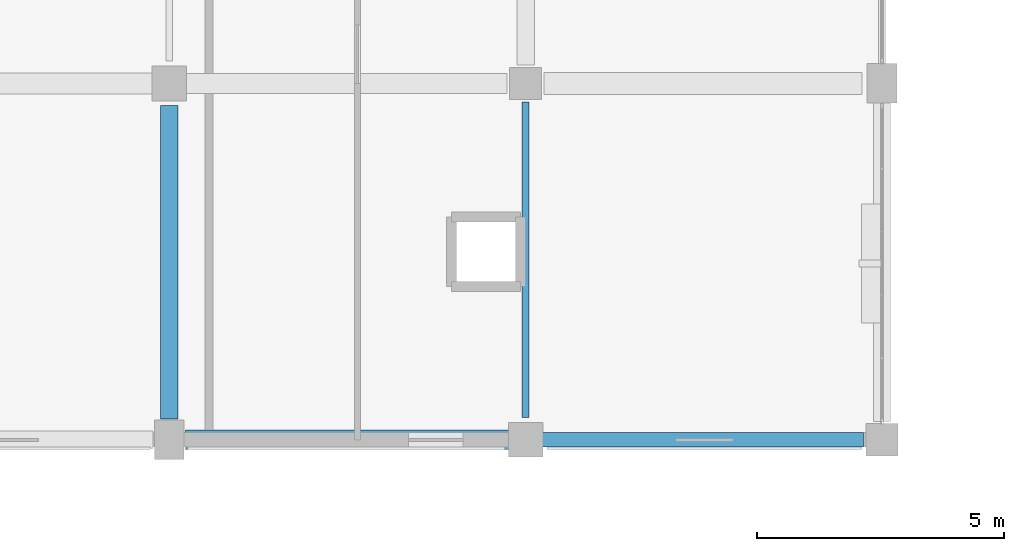
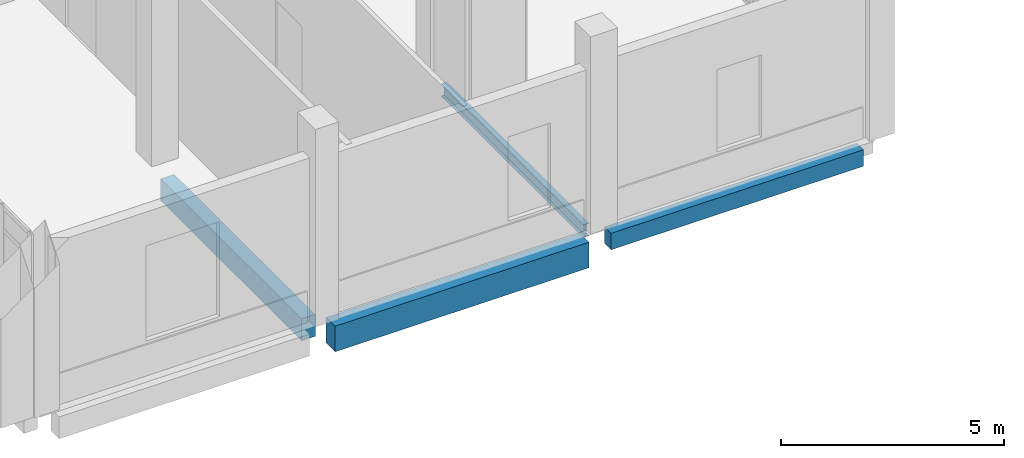
# One storey, part 9 of 110: 4 beams.
"""IFC4 building model written with IfcOpenShell, lengths in metres."""

import ifcopenshell
import ifcopenshell.guid

model = None  # the IFC model being written
_history = None  # IfcOwnerHistory: only IFC2X3 demands one
_inside = {}  # id of a spatial element -> (the spatial element, [elements in it])
_under = {}  # id of a project, library or spatial element -> (it, [spatial elements below it])
_declared = {}  # id of a project -> (the project, [libraries it declares])
_typed = {}  # id of a type object -> (the type object, [elements of that type])
_made_of = {}  # id of a material, layer set ... -> (it, [elements and type objects made of it])


def new_model(schema):
    """Start an empty IFC model of exactly this schema.

    Asked for "IFC4X3", IfcOpenShell would pick the latest addendum, in which some entities
    have other attributes; the version numbers below select the first issue.
    IFC2X3 requires an IfcOwnerHistory on every rooted entity: one is made here for all.
    """
    global model, _history
    if schema == "IFC4X3":
        model = ifcopenshell.file(schema_version=(4, 3, 0, 0))
    else:
        model = ifcopenshell.file(schema=schema)
    _inside.clear()
    _under.clear()
    _declared.clear()
    _typed.clear()
    _made_of.clear()
    _history = None
    if model.schema == "IFC2X3":
        org = make("IfcOrganization", Name="unknown")
        user = make(
            "IfcPersonAndOrganization",
            ThePerson=make("IfcPerson", FamilyName="unknown"),
            TheOrganization=org,
        )
        app = make(
            "IfcApplication",
            ApplicationDeveloper=org,
            Version="unknown",
            ApplicationFullName="unknown",
            ApplicationIdentifier="unknown",
        )
        _history = make(
            "IfcOwnerHistory",
            OwningUser=user,
            OwningApplication=app,
            ChangeAction="ADDED",
            CreationDate=0,
        )
    return model


def make(cls, **values):
    """One entity of the class cls with the attributes given. An attribute that is None is left unset."""
    return model.create_entity(
        cls, **{name: value for name, value in values.items() if value is not None}
    )


def rooted(cls, **values):
    """An entity with a GlobalId (a new one), such as an element, a storey or a relation."""
    return make(cls, GlobalId=ifcopenshell.guid.new(), OwnerHistory=_history, **values)


def si_unit(unit_type, name, prefix=None):
    """IfcSIUnit, for example si_unit("LENGTHUNIT", "METRE", prefix="MILLI")."""
    return make("IfcSIUnit", UnitType=unit_type, Prefix=prefix, Name=name)


def assignment(units):
    """IfcUnitAssignment: the units of a project."""
    return None if units is None else make("IfcUnitAssignment", Units=units)


def point(xyz):
    """IfcCartesianPoint."""
    return None if xyz is None else make("IfcCartesianPoint", Coordinates=xyz)


def direction(xyz):
    """IfcDirection."""
    return None if xyz is None else make("IfcDirection", DirectionRatios=xyz)


def frame(location, z_axis=None, x_axis=None):
    """IfcAxis2Placement3D, a coordinate frame: its origin and axes. An axis left out is left unset."""
    return make(
        "IfcAxis2Placement3D",
        Location=point(location),
        Axis=direction(z_axis),
        RefDirection=direction(x_axis),
    )


def frame_2d(location, x_axis=None):
    """IfcAxis2Placement2D, a coordinate frame in the plane: its origin and x axis."""
    return make(
        "IfcAxis2Placement2D", Location=point(location), RefDirection=direction(x_axis)
    )


def origin():
    """The frame at (0, 0, 0) with its axes left unset."""
    return frame((0.0, 0.0, 0.0))


def origin_2d():
    """The frame at (0, 0) in the plane with its x axis left unset."""
    return frame_2d((0.0, 0.0))


def place(relative_to, where):
    """IfcLocalPlacement: puts the frame where relative to a parent placement (None: the world)."""
    return make(
        "IfcLocalPlacement", PlacementRelTo=relative_to, RelativePlacement=where
    )


def context(
    kind, dimensions, precision=None, world=None, true_north=None, identifier=None
):
    """IfcGeometricRepresentationContext, for example the 3D "Model" context."""
    return make(
        "IfcGeometricRepresentationContext",
        ContextIdentifier=identifier,
        ContextType=kind,
        CoordinateSpaceDimension=dimensions,
        Precision=precision,
        WorldCoordinateSystem=world,
        TrueNorth=true_north,
    )


def subcontext(parent, identifier, kind, view, scale=None):
    """IfcGeometricRepresentationSubContext, for example "Body" below "Model"."""
    return make(
        "IfcGeometricRepresentationSubContext",
        ContextIdentifier=identifier,
        ContextType=kind,
        ParentContext=parent,
        TargetScale=scale,
        TargetView=view,
    )


def project(units=None, contexts=None):
    """IfcProject with its units and contexts."""
    return rooted(
        "IfcProject",
        Name="project",
        RepresentationContexts=contexts,
        UnitsInContext=assignment(units),
    )


def spatial(cls, under=None, at=None, **own):
    """A site, building, storey or space (cls), placed at a placement, below another one or the project."""
    s = rooted(cls, ObjectPlacement=at, **own)
    if under is not None:
        _under.setdefault(under.id(), (under, []))[1].append(s)
    return s


def profile(cls, at=None, kind="AREA", **sizes):
    """A parametric profile (cls). Its sizes go by their IFC names, for example OverallWidth=200.0."""
    return make(cls, ProfileType=kind, Position=at, **sizes)


def rectangle(**sizes):
    """IfcRectangleProfileDef."""
    return profile("IfcRectangleProfileDef", **sizes)


def i_section(**sizes):
    """IfcIShapeProfileDef."""
    return profile("IfcIShapeProfileDef", **sizes)


def extrude(swept, where, along, depth):
    """IfcExtrudedAreaSolid: the profile swept, set in the frame where, extruded along a direction by depth."""
    return make(
        "IfcExtrudedAreaSolid",
        SweptArea=swept,
        Position=where,
        ExtrudedDirection=direction(along),
        Depth=depth,
    )


def shape(context_of_items, identifier, shape_type, items):
    """IfcShapeRepresentation: the items that make up one representation, for example the "Body"."""
    return make(
        "IfcShapeRepresentation",
        ContextOfItems=context_of_items,
        RepresentationIdentifier=identifier,
        RepresentationType=shape_type,
        Items=items,
    )


def material(Name=None, Category=None):
    """IfcMaterial."""
    return make("IfcMaterial", Name=Name, Category=Category)


def material_profile(
    of_material, cross_section, Name=None, Category=None, Priority=None
):
    """IfcMaterialProfile: a cross section and its material."""
    return make(
        "IfcMaterialProfile",
        Name=Name,
        Material=of_material,
        Profile=cross_section,
        Priority=Priority,
        Category=Category,
    )


def profile_set(profiles, Name=None, composite=None):
    """IfcMaterialProfileSet."""
    return make(
        "IfcMaterialProfileSet",
        Name=Name,
        MaterialProfiles=profiles,
        CompositeProfile=composite,
    )


def made_of(thing, what):
    """Note that an element or type object is made of a material, layer set ...; save() writes the relation."""
    if what is not None:
        _made_of.setdefault(what.id(), (what, []))[1].append(thing)
    return thing


def type_object(cls, material=None, **own):
    """A type object (cls), such as IfcWallType, which elements share."""
    return made_of(rooted(cls, **own), material)


def element(
    cls,
    number,
    at=None,
    inside=None,
    cuts=None,
    type_object=None,
    material=None,
    context=None,
    identifier="Body",
    shape_type=None,
    held_by="IfcProductDefinitionShape",
    body=None,
    shapes=None,
    **own,
):
    """One element of the class cls, such as IfcWall. Its Tag is "e" and its number.

    at: its placement. inside: the storey or other place that contains it. cuts: it is an
    opening in that element (IfcRelVoidsElement). A single representation is given by context,
    identifier, shape_type and body (its items); several are given by shapes. held_by: the class
    of the entity that holds the representations. save() writes the other relations.
    """
    e = rooted(cls, Tag="e%d" % number, ObjectPlacement=at, **own)
    if body is not None:
        shapes = [shape(context, identifier, shape_type, body)]
    if shapes is not None:
        e.Representation = make(held_by, Representations=shapes)
    if inside is not None:
        _inside.setdefault(inside.id(), (inside, []))[1].append(e)
    if cuts is not None:
        rooted(
            "IfcRelVoidsElement", RelatingBuildingElement=cuts, RelatedOpeningElement=e
        )
    if type_object is not None:
        _typed.setdefault(type_object.id(), (type_object, []))[1].append(e)
    return made_of(e, material)


def aggregate(whole, parts):
    """IfcRelAggregates: a whole, such as a stair, and the parts it consists of."""
    return rooted("IfcRelAggregates", RelatingObject=whole, RelatedObjects=parts)


def save(model, path):
    """Write the relations noted so far, then the file.

    IfcRelAggregates (storeys below a building ...), IfcRelContainedInSpatialStructure (elements
    in a storey), IfcRelDefinesByType, IfcRelAssociatesMaterial and IfcRelDeclares: one each for
    every whole, place, type object, material and project.
    """
    for whole, parts in _under.values():
        aggregate(whole, parts)
    for where, things in _inside.values():
        rooted(
            "IfcRelContainedInSpatialStructure",
            RelatedElements=things,
            RelatingStructure=where,
        )
    for kind, things in _typed.values():
        rooted("IfcRelDefinesByType", RelatedObjects=things, RelatingType=kind)
    for what, things in _made_of.values():
        rooted("IfcRelAssociatesMaterial", RelatedObjects=things, RelatingMaterial=what)
    for by, libraries in _declared.values():
        rooted("IfcRelDeclares", RelatingContext=by, RelatedDefinitions=libraries)
    model.write(path)


model = new_model("IFC4")

# Units and contexts
model_context = context("Model", 3, precision=1e-05, world=origin(), true_north=direction((0.0, 1.0)))
body_context = subcontext(model_context, "Body", "Model", "MODEL_VIEW")
ifc_project = project(units=[si_unit("LENGTHUNIT", "METRE"), si_unit("AREAUNIT", "SQUARE_METRE"), si_unit("VOLUMEUNIT", "CUBIC_METRE"), si_unit("PLANEANGLEUNIT", "RADIAN"), si_unit("MASSUNIT", "GRAM", prefix="KILO")], contexts=[model_context])

# Site, building, storey
site_placement = place(None, origin())
site = spatial("IfcSite", under=ifc_project, at=site_placement, CompositionType="ELEMENT")
building_placement = place(site_placement, origin())
building = spatial("IfcBuilding", under=site, at=building_placement, Name="Kalluvel Institute of Natural Sciences", CompositionType="ELEMENT")
storey_placement = place(building_placement, origin())
storey = spatial("IfcBuildingStorey", under=building, at=storey_placement, Name="L00", CompositionType="ELEMENT", Elevation=0.0)

# Beams
ifc_material_1 = material(Name="Steel E350 Grade 350", Category="steel")
ifc_material_profile_1 = material_profile(ifc_material_1, i_section(OverallWidth=0.139892578125, OverallDepth=0.35009765625, WebThickness=0.008056640625, FlangeThickness=0.01416015625, FilletRadius=0.013916015625, at=origin_2d()), Name="ISMB 350")
ifc_profile_set_1 = profile_set([ifc_material_profile_1], Name="Steel E350 Grade 350")
beam_type_1 = type_object("IfcBeamType", Name="BM-ISMB350", PredefinedType="BEAM", material=ifc_profile_set_1)
beam_1_placement = place(storey_placement, frame((28.39990234375, 14.449951171875, -0.4951171875), z_axis=(0.0, 1.0, 0.0), x_axis=(-1.0, 0.0, 0.0)))
element("IfcBeam", 1, at=beam_1_placement, inside=storey, type_object=beam_type_1, Name="L00 girder GIR-L00-NS-X284-Y140", PredefinedType="BEAM", context=body_context, shape_type="SweptSolid", body=[
    extrude(i_section(OverallWidth=0.139892578125, OverallDepth=0.35009765625, WebThickness=0.008056640625, FlangeThickness=0.01416015625, FilletRadius=0.013916015625, at=origin_2d()), origin(), (0.0, 0.0, 1.0), 6.375),
])
ifc_material_2 = material(Name="Concrete M40", Category="concrete")
ifc_material_profile_2 = material_profile(ifc_material_2, rectangle(XDim=0.35009765625, YDim=0.60009765625, at=origin_2d()), Name="RCB 350x600")
ifc_profile_set_2 = profile_set([ifc_material_profile_2], Name="Concrete M40")
beam_type_2 = type_object("IfcBeamType", Name="BM-RC350x600", PredefinedType="BEAM", material=ifc_profile_set_2)
beam_2_placement = place(storey_placement, frame((21.199951171875, 14.425048828125, -0.6201171875), z_axis=(0.0, 1.0, 0.0), x_axis=(-1.0, 0.0, 0.0)))
element("IfcBeam", 2, at=beam_2_placement, inside=storey, type_object=beam_type_2, Name="L00 girder GIR-L00-NS-X212-Y140", PredefinedType="BEAM", context=body_context, shape_type="SweptSolid", body=[
    extrude(rectangle(XDim=0.35009765625, YDim=0.60009765625, at=origin_2d()), origin(), (0.0, 0.0, 1.0), 6.324951171875),
])
ifc_material_profile_3 = material_profile(ifc_material_2, rectangle(XDim=0.300048828125, YDim=0.449951171875, at=origin_2d()), Name="RCB 300x450")
ifc_profile_set_3 = profile_set([ifc_material_profile_3], Name="Concrete M40")
beam_type_3 = type_object("IfcBeamType", Name="SP-RC300x450", PredefinedType="SPANDREL", material=ifc_profile_set_3)
beam_3_placement = place(storey_placement, frame((28.699951171875, 14.0, -0.544921875), z_axis=(1.0, 0.0, 0.0), x_axis=(0.0, 1.0, 0.0)))
element("IfcBeam", 3, at=beam_3_placement, inside=storey, type_object=beam_type_3, Name="L00 girder GIR-L00-EW-X284-Y140", PredefinedType="SPANDREL", context=body_context, shape_type="SweptSolid", body=[
    extrude(rectangle(XDim=0.300048828125, YDim=0.449951171875, at=origin_2d()), origin(), (0.0, 0.0, 1.0), 6.525146484375),
])
ifc_material_profile_4 = material_profile(ifc_material_2, rectangle(XDim=0.39990234375, YDim=0.699951171875, at=origin_2d()), Name="RCB 400x700")
ifc_profile_set_4 = profile_set([ifc_material_profile_4], Name="Concrete M40")
beam_type_4 = type_object("IfcBeamType", Name="SP-RC400x700", PredefinedType="SPANDREL", material=ifc_profile_set_4)
beam_4_placement = place(storey_placement, frame((21.52490234375, 14.0, -0.669921875), z_axis=(1.0, 0.0, 0.0), x_axis=(0.0, 1.0, 0.0)))
element("IfcBeam", 4, at=beam_4_placement, inside=storey, type_object=beam_type_4, Name="L00 girder GIR-L00-EW-X212-Y140", PredefinedType="SPANDREL", context=body_context, shape_type="SweptSolid", body=[
    extrude(rectangle(XDim=0.39990234375, YDim=0.699951171875, at=origin_2d()), origin(), (0.0, 0.0, 1.0), 6.5751953125),
])

save(model, "model.ifc")
